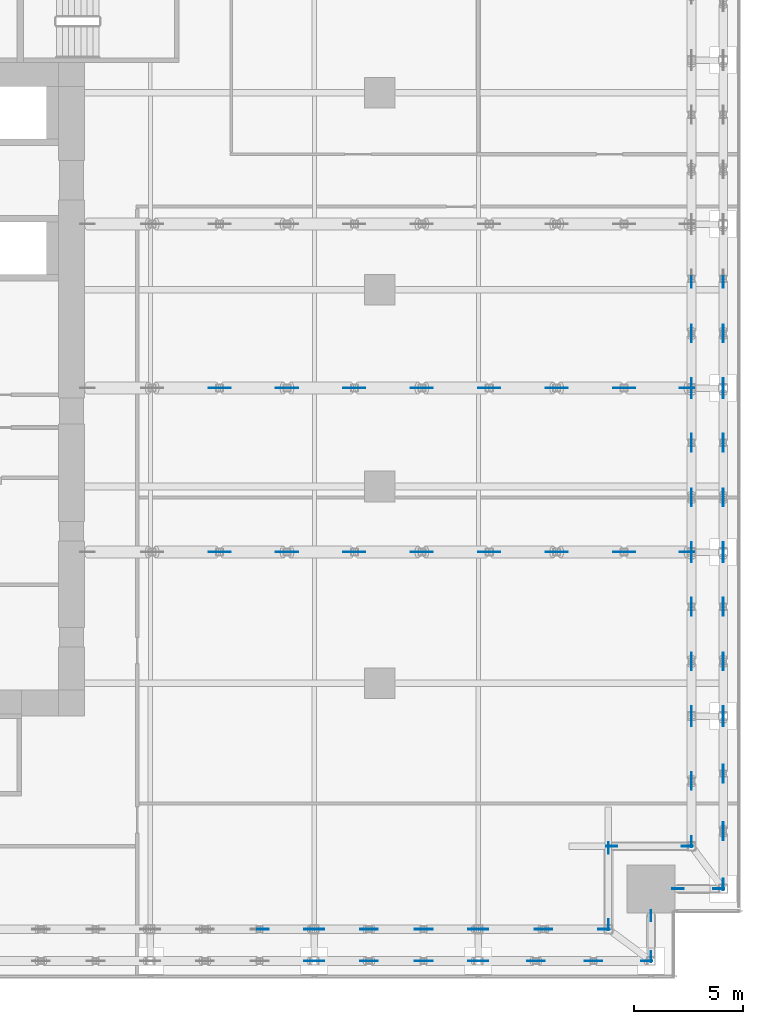
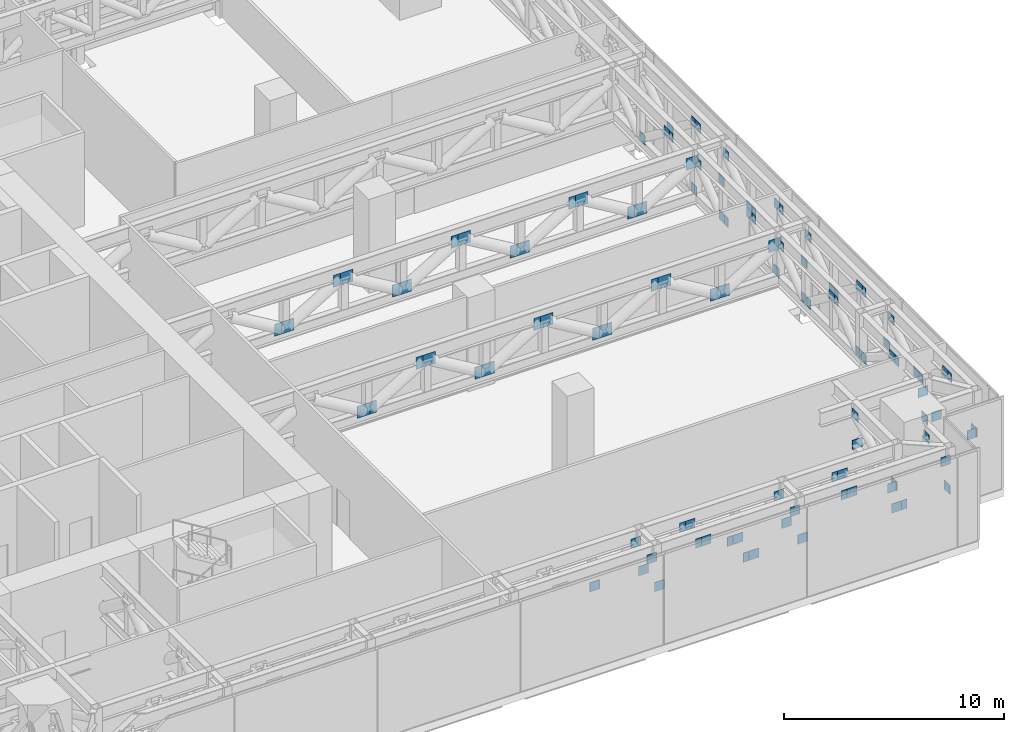
# One storey, part 35 of 39: 105 discrete accessories.
"""IFC4 building model written with IfcOpenShell, lengths in metres."""

import ifcopenshell
import ifcopenshell.guid

model = None  # the IFC model being written
_history = None  # IfcOwnerHistory: only IFC2X3 demands one
_inside = {}  # id of a spatial element -> (the spatial element, [elements in it])
_under = {}  # id of a project, library or spatial element -> (it, [spatial elements below it])
_declared = {}  # id of a project -> (the project, [libraries it declares])
_typed = {}  # id of a type object -> (the type object, [elements of that type])
_made_of = {}  # id of a material, layer set ... -> (it, [elements and type objects made of it])


def new_model(schema):
    """Start an empty IFC model of exactly this schema.

    Asked for "IFC4X3", IfcOpenShell would pick the latest addendum, in which some entities
    have other attributes; the version numbers below select the first issue.
    IFC2X3 requires an IfcOwnerHistory on every rooted entity: one is made here for all.
    """
    global model, _history
    if schema == "IFC4X3":
        model = ifcopenshell.file(schema_version=(4, 3, 0, 0))
    else:
        model = ifcopenshell.file(schema=schema)
    _inside.clear()
    _under.clear()
    _declared.clear()
    _typed.clear()
    _made_of.clear()
    _history = None
    if model.schema == "IFC2X3":
        org = make("IfcOrganization", Name="unknown")
        user = make(
            "IfcPersonAndOrganization",
            ThePerson=make("IfcPerson", FamilyName="unknown"),
            TheOrganization=org,
        )
        app = make(
            "IfcApplication",
            ApplicationDeveloper=org,
            Version="unknown",
            ApplicationFullName="unknown",
            ApplicationIdentifier="unknown",
        )
        _history = make(
            "IfcOwnerHistory",
            OwningUser=user,
            OwningApplication=app,
            ChangeAction="ADDED",
            CreationDate=0,
        )
    return model


def make(cls, **values):
    """One entity of the class cls with the attributes given. An attribute that is None is left unset."""
    return model.create_entity(
        cls, **{name: value for name, value in values.items() if value is not None}
    )


def rooted(cls, **values):
    """An entity with a GlobalId (a new one), such as an element, a storey or a relation."""
    return make(cls, GlobalId=ifcopenshell.guid.new(), OwnerHistory=_history, **values)


def si_unit(unit_type, name, prefix=None):
    """IfcSIUnit, for example si_unit("LENGTHUNIT", "METRE", prefix="MILLI")."""
    return make("IfcSIUnit", UnitType=unit_type, Prefix=prefix, Name=name)


def assignment(units):
    """IfcUnitAssignment: the units of a project."""
    return None if units is None else make("IfcUnitAssignment", Units=units)


def point(xyz):
    """IfcCartesianPoint."""
    return None if xyz is None else make("IfcCartesianPoint", Coordinates=xyz)


def direction(xyz):
    """IfcDirection."""
    return None if xyz is None else make("IfcDirection", DirectionRatios=xyz)


def frame(location, z_axis=None, x_axis=None):
    """IfcAxis2Placement3D, a coordinate frame: its origin and axes. An axis left out is left unset."""
    return make(
        "IfcAxis2Placement3D",
        Location=point(location),
        Axis=direction(z_axis),
        RefDirection=direction(x_axis),
    )


def frame_2d(location, x_axis=None):
    """IfcAxis2Placement2D, a coordinate frame in the plane: its origin and x axis."""
    return make(
        "IfcAxis2Placement2D", Location=point(location), RefDirection=direction(x_axis)
    )


def origin():
    """The frame at (0, 0, 0) with its axes left unset."""
    return frame((0.0, 0.0, 0.0))


def origin_2d():
    """The frame at (0, 0) in the plane with its x axis left unset."""
    return frame_2d((0.0, 0.0))


def place(relative_to, where):
    """IfcLocalPlacement: puts the frame where relative to a parent placement (None: the world)."""
    return make(
        "IfcLocalPlacement", PlacementRelTo=relative_to, RelativePlacement=where
    )


def context(
    kind, dimensions, precision=None, world=None, true_north=None, identifier=None
):
    """IfcGeometricRepresentationContext, for example the 3D "Model" context."""
    return make(
        "IfcGeometricRepresentationContext",
        ContextIdentifier=identifier,
        ContextType=kind,
        CoordinateSpaceDimension=dimensions,
        Precision=precision,
        WorldCoordinateSystem=world,
        TrueNorth=true_north,
    )


def subcontext(parent, identifier, kind, view, scale=None):
    """IfcGeometricRepresentationSubContext, for example "Body" below "Model"."""
    return make(
        "IfcGeometricRepresentationSubContext",
        ContextIdentifier=identifier,
        ContextType=kind,
        ParentContext=parent,
        TargetScale=scale,
        TargetView=view,
    )


def project(units=None, contexts=None):
    """IfcProject with its units and contexts."""
    return rooted(
        "IfcProject",
        Name="project",
        RepresentationContexts=contexts,
        UnitsInContext=assignment(units),
    )


def spatial(cls, under=None, at=None, **own):
    """A site, building, storey or space (cls), placed at a placement, below another one or the project."""
    s = rooted(cls, ObjectPlacement=at, **own)
    if under is not None:
        _under.setdefault(under.id(), (under, []))[1].append(s)
    return s


def profile(cls, at=None, kind="AREA", **sizes):
    """A parametric profile (cls). Its sizes go by their IFC names, for example OverallWidth=200.0."""
    return make(cls, ProfileType=kind, Position=at, **sizes)


def rectangle(**sizes):
    """IfcRectangleProfileDef."""
    return profile("IfcRectangleProfileDef", **sizes)


def extrude(swept, where, along, depth):
    """IfcExtrudedAreaSolid: the profile swept, set in the frame where, extruded along a direction by depth."""
    return make(
        "IfcExtrudedAreaSolid",
        SweptArea=swept,
        Position=where,
        ExtrudedDirection=direction(along),
        Depth=depth,
    )


def shape(context_of_items, identifier, shape_type, items):
    """IfcShapeRepresentation: the items that make up one representation, for example the "Body"."""
    return make(
        "IfcShapeRepresentation",
        ContextOfItems=context_of_items,
        RepresentationIdentifier=identifier,
        RepresentationType=shape_type,
        Items=items,
    )


def source(mapping_origin, context_of_items, identifier, shape_type, items):
    """IfcRepresentationMap: a shape defined once, which mapped items show again and again."""
    return make(
        "IfcRepresentationMap",
        MappingOrigin=mapping_origin,
        MappedRepresentation=shape(context_of_items, identifier, shape_type, items),
    )


def transform(
    local_origin,
    x_axis=None,
    y_axis=None,
    z_axis=None,
    scale=None,
    scale2=None,
    scale3=None,
    uniform=True,
):
    """IfcCartesianTransformationOperator3D, or its non-uniform kind. x_axis, y_axis, z_axis: its Axis1, 2, 3."""
    if uniform:
        return make(
            "IfcCartesianTransformationOperator3D",
            Axis1=direction(x_axis),
            Axis2=direction(y_axis),
            LocalOrigin=point(local_origin),
            Scale=scale,
            Axis3=direction(z_axis),
        )
    return make(
        "IfcCartesianTransformationOperator3DnonUniform",
        Axis1=direction(x_axis),
        Axis2=direction(y_axis),
        LocalOrigin=point(local_origin),
        Scale=scale,
        Axis3=direction(z_axis),
        Scale2=scale2,
        Scale3=scale3,
    )


def mapped(mapping_source, mapping_target):
    """IfcMappedItem: shows the shape of a source again, moved by a transform."""
    return make(
        "IfcMappedItem", MappingSource=mapping_source, MappingTarget=mapping_target
    )


def material(Name=None, Category=None):
    """IfcMaterial."""
    return make("IfcMaterial", Name=Name, Category=Category)


def layer(
    of_material, thickness, ventilated=None, Name=None, Category=None, Priority=None
):
    """IfcMaterialLayer: one layer of a wall or slab, of a material (None: an air gap)."""
    return make(
        "IfcMaterialLayer",
        Material=of_material,
        LayerThickness=thickness,
        IsVentilated=ventilated,
        Name=Name,
        Category=Category,
        Priority=Priority,
    )


def layer_set(layers, Name=None):
    """IfcMaterialLayerSet."""
    return make("IfcMaterialLayerSet", MaterialLayers=layers, LayerSetName=Name)


def made_of(thing, what):
    """Note that an element or type object is made of a material, layer set ...; save() writes the relation."""
    if what is not None:
        _made_of.setdefault(what.id(), (what, []))[1].append(thing)
    return thing


def type_object(cls, material=None, **own):
    """A type object (cls), such as IfcWallType, which elements share."""
    return made_of(rooted(cls, **own), material)


def element(
    cls,
    number,
    at=None,
    inside=None,
    cuts=None,
    type_object=None,
    material=None,
    context=None,
    identifier="Body",
    shape_type=None,
    held_by="IfcProductDefinitionShape",
    body=None,
    shapes=None,
    **own,
):
    """One element of the class cls, such as IfcWall. Its Tag is "e" and its number.

    at: its placement. inside: the storey or other place that contains it. cuts: it is an
    opening in that element (IfcRelVoidsElement). A single representation is given by context,
    identifier, shape_type and body (its items); several are given by shapes. held_by: the class
    of the entity that holds the representations. save() writes the other relations.
    """
    e = rooted(cls, Tag="e%d" % number, ObjectPlacement=at, **own)
    if body is not None:
        shapes = [shape(context, identifier, shape_type, body)]
    if shapes is not None:
        e.Representation = make(held_by, Representations=shapes)
    if inside is not None:
        _inside.setdefault(inside.id(), (inside, []))[1].append(e)
    if cuts is not None:
        rooted(
            "IfcRelVoidsElement", RelatingBuildingElement=cuts, RelatedOpeningElement=e
        )
    if type_object is not None:
        _typed.setdefault(type_object.id(), (type_object, []))[1].append(e)
    return made_of(e, material)


def aggregate(whole, parts):
    """IfcRelAggregates: a whole, such as a stair, and the parts it consists of."""
    return rooted("IfcRelAggregates", RelatingObject=whole, RelatedObjects=parts)


def save(model, path):
    """Write the relations noted so far, then the file.

    IfcRelAggregates (storeys below a building ...), IfcRelContainedInSpatialStructure (elements
    in a storey), IfcRelDefinesByType, IfcRelAssociatesMaterial and IfcRelDeclares: one each for
    every whole, place, type object, material and project.
    """
    for whole, parts in _under.values():
        aggregate(whole, parts)
    for where, things in _inside.values():
        rooted(
            "IfcRelContainedInSpatialStructure",
            RelatedElements=things,
            RelatingStructure=where,
        )
    for kind, things in _typed.values():
        rooted("IfcRelDefinesByType", RelatedObjects=things, RelatingType=kind)
    for what, things in _made_of.values():
        rooted("IfcRelAssociatesMaterial", RelatedObjects=things, RelatingMaterial=what)
    for by, libraries in _declared.values():
        rooted("IfcRelDeclares", RelatingContext=by, RelatedDefinitions=libraries)
    model.write(path)


model = new_model("IFC4")

# Units and contexts
model_context = context("Model", 3, precision=1e-05, world=origin(), true_north=direction((0.0, 1.0)))
body_context = subcontext(model_context, "Body", "Model", "MODEL_VIEW")
ifc_project = project(units=[si_unit("LENGTHUNIT", "METRE"), si_unit("AREAUNIT", "SQUARE_METRE"), si_unit("VOLUMEUNIT", "CUBIC_METRE"), si_unit("PLANEANGLEUNIT", "RADIAN"), si_unit("MASSUNIT", "GRAM", prefix="KILO")], contexts=[model_context])

# Site, building, storey
site_placement = place(None, origin())
site = spatial("IfcSite", under=ifc_project, at=site_placement, CompositionType="ELEMENT")
building_placement = place(site_placement, origin())
building = spatial("IfcBuilding", under=site, at=building_placement, Name="Khomas Fold Tower", CompositionType="ELEMENT")
storey_placement = place(building_placement, frame((0.0, 0.0, 96.0)))
storey = spatial("IfcBuildingStorey", under=building, at=storey_placement, Name="L20", CompositionType="ELEMENT", Elevation=96.0)

# Discrete accessories
ifc_material_1 = material(Name="Steel S355", Category="steel")
ifc_layer_1 = layer(ifc_material_1, 0.030029296875)
ifc_layer_set_1 = layer_set([ifc_layer_1], Name="Steel S355")
discrete_accessory_type_1 = type_object("IfcDiscreteAccessoryType", Name="Gusset plate 30 x 510 GP3", PredefinedType="BRACKET", material=ifc_layer_set_1)
shared_shape_1 = source(origin(), body_context, "Body", "SweptSolid", [
    extrude(rectangle(XDim=0.510009765625, YDim=0.030029296875, at=origin_2d()), origin(), (0.0, 0.0, 1.0), 0.510009765625),
])
for number, where, z_axis, x_axis, name in (
    (1, (32.14990234375, 2.25, 2.490234375), (0.0, 0.0, 1.0), (1.0, 0.0, 0.0), "Gusset plate BT1-D"),
    (2, (34.300048828125, 0.800048828125, 4.14990234375), (0.0, 0.0, 1.0), (1.0, 0.0, 0.0), "Gusset plate BT1-D"),
    (3, (34.300048828125, 2.25, 4.14990234375), (0.0, 0.0, 1.0), (1.0, 0.0, 0.0), "Gusset plate BT1-D"),
    (4, (34.699951171875, 0.800048828125, 2.490234375), (0.0, 0.0, 1.0), (1.0, 0.0, 0.0), "Gusset plate BT1-D"),
    (5, (34.699951171875, 2.25, 2.490234375), (0.0, 0.0, 1.0), (1.0, 0.0, 0.0), "Gusset plate BT1-D"),
    (6, (36.85009765625, 0.800048828125, 4.14990234375), (0.0, 0.0, 1.0), (1.0, 0.0, 0.0), "Gusset plate BT1-D"),
    (7, (36.85009765625, 2.25, 4.14990234375), (0.0, 0.0, 1.0), (1.0, 0.0, 0.0), "Gusset plate BT1-D"),
    (8, (37.14990234375, 0.800048828125, 4.14990234375), (0.0, 0.0, 1.0), (1.0, 0.0, 0.0), "Gusset plate BT1-D"),
    (9, (37.14990234375, 2.25, 4.14990234375), (0.0, 0.0, 1.0), (1.0, 0.0, 0.0), "Gusset plate BT1-D"),
    (10, (39.35009765625, 0.800048828125, 2.490234375), (0.0, 0.0, 1.0), (1.0, 0.0, 0.0), "Gusset plate BT1-D"),
    (11, (39.35009765625, 2.25, 2.490234375), (0.0, 0.0, 1.0), (1.0, 0.0, 0.0), "Gusset plate BT1-D"),
    (12, (39.64990234375, 0.800048828125, 2.490234375), (0.0, 0.0, 1.0), (1.0, 0.0, 0.0), "Gusset plate BT1-D"),
    (13, (39.64990234375, 2.25, 2.490234375), (0.0, 0.0, 1.0), (1.0, 0.0, 0.0), "Gusset plate BT1-D"),
    (14, (41.800048828125, 0.800048828125, 4.14990234375), (0.0, 0.0, 1.0), (1.0, 0.0, 0.0), "Gusset plate BT1-D"),
    (15, (41.800048828125, 2.25, 4.14990234375), (0.0, 0.0, 1.0), (1.0, 0.0, 0.0), "Gusset plate BT1-D"),
    (16, (42.199951171875, 0.800048828125, 2.490234375), (0.0, 0.0, 1.0), (1.0, 0.0, 0.0), "Gusset plate BT1-D"),
    (17, (42.199951171875, 2.25, 2.490234375), (0.0, 0.0, 1.0), (1.0, 0.0, 0.0), "Gusset plate BT1-D"),
    (18, (44.4833984375, 0.800048828125, 4.14990234375), (0.0, 0.0, 1.0), (1.0, 0.0, 0.0), "Gusset plate BT1-D"),
    (19, (44.783447265625, 0.800048828125, 4.14990234375), (0.0, 0.0, 1.0), (1.0, 0.0, 0.0), "Gusset plate BT1-D"),
    (20, (44.824951171875, 2.25, 4.14990234375), (0.0, 0.0, 1.0), (1.0, 0.0, 0.0), "Gusset plate BT1-D"),
    (21, (45.125, 2.25, 4.14990234375), (0.0, 0.0, 1.0), (1.0, 0.0, 0.0), "Gusset plate BT1-D"),
    (22, (47.11669921875, 0.800048828125, 2.490234375), (0.0, 0.0, 1.0), (1.0, 0.0, 0.0), "Gusset plate BT1-D"),
    (23, (47.416748046875, 0.800048828125, 2.490234375), (0.0, 0.0, 1.0), (1.0, 0.0, 0.0), "Gusset plate BT1-D"),
    (24, (47.75, 2.25, 2.490234375), (0.0, 0.0, 1.0), (1.0, 0.0, 0.0), "Gusset plate BT1-D"),
    (25, (47.949951171875, 2.449951171875, 2.490234375), (0.0, 0.0, 1.0), (0.0, 1.0, 0.0), "Gusset plate BT1-DL"),
    (26, (47.949951171875, 5.96533203125, 4.14990234375), (0.0, 0.0, 1.0), (0.0, 1.0, 0.0), "Gusset plate BT1-DL"),
    (27, (48.10009765625, 6.050048828125, 2.490234375), (0.0, 0.0, 1.0), (1.0, 0.0, 0.0), "Gusset plate BT1-DL"),
    (28, (49.699951171875, 0.800048828125, 4.14990234375), (0.0, 0.0, 1.0), (1.0, 0.0, 0.0), "Gusset plate BT1-D"),
    (29, (49.89990234375, 1.0, 2.490234375), (0.0, 0.0, 1.0), (0.0, 1.0, 0.0), "Gusset plate BT1-D"),
    (30, (49.89990234375, 2.87060546875, 4.14990234375), (0.0, 0.0, 1.0), (0.0, 1.0, 0.0), "Gusset plate BT1-D"),
    (31, (51.12939453125, 4.10009765625, 4.14990234375), (0.0, 0.0, 1.0), (1.0, 0.0, 0.0), "Gusset plate BT1-D"),
    (32, (51.550048828125, 6.050048828125, 4.14990234375), (0.0, 0.0, 1.0), (1.0, 0.0, 0.0), "Gusset plate BT1-DL"),
    (33, (51.75, 6.25, 2.490234375), (0.0, 0.0, 1.0), (0.0, 1.0, 0.0), "Gusset plate BT1-D"),
    (34, (51.75, 8.875, 4.14990234375), (0.0, 0.0, 1.0), (0.0, 1.0, 0.0), "Gusset plate BT1-D"),
    (35, (51.75, 9.175048828125, 4.14990234375), (0.0, 0.0, 1.0), (0.0, 1.0, 0.0), "Gusset plate BT1-D"),
    (36, (51.75, 11.800048828125, 2.490234375), (0.0, 0.0, 1.0), (0.0, 1.0, 0.0), "Gusset plate BT1-D"),
    (37, (51.75, 12.199951171875, 2.490234375), (0.0, 0.0, 1.0), (0.0, 1.0, 0.0), "Gusset plate BT1-D"),
    (38, (51.75, 14.35009765625, 4.14990234375), (0.0, 0.0, 1.0), (0.0, 1.0, 0.0), "Gusset plate BT1-D"),
    (39, (51.75, 14.64990234375, 4.14990234375), (0.0, 0.0, 1.0), (0.0, 1.0, 0.0), "Gusset plate BT1-D"),
    (40, (51.75, 16.85009765625, 2.490234375), (0.0, 0.0, 1.0), (0.0, 1.0, 0.0), "Gusset plate BT1-D"),
    (41, (51.75, 17.14990234375, 2.490234375), (0.0, 0.0, 1.0), (0.0, 1.0, 0.0), "Gusset plate BT1-D"),
    (42, (51.75, 19.300048828125, 4.14990234375), (0.0, 0.0, 1.0), (0.0, 1.0, 0.0), "Gusset plate BT1-D"),
    (43, (51.75, 19.699951171875, 2.490234375), (0.0, 0.0, 1.0), (0.0, 1.0, 0.0), "Gusset plate BT1-D"),
    (44, (51.75, 21.85009765625, 4.14990234375), (0.0, 0.0, 1.0), (0.0, 1.0, 0.0), "Gusset plate BT1-D"),
    (45, (51.75, 22.14990234375, 4.14990234375), (0.0, 0.0, 1.0), (0.0, 1.0, 0.0), "Gusset plate BT1-D"),
    (46, (51.75, 24.35009765625, 2.490234375), (0.0, 0.0, 1.0), (0.0, 1.0, 0.0), "Gusset plate BT1-D"),
    (47, (51.75, 24.64990234375, 2.490234375), (0.0, 0.0, 1.0), (0.0, 1.0, 0.0), "Gusset plate BT1-D"),
    (48, (51.75, 26.800048828125, 4.14990234375), (0.0, 0.0, 1.0), (0.0, 1.0, 0.0), "Gusset plate BT1-D"),
    (49, (51.75, 27.199951171875, 2.490234375), (0.0, 0.0, 1.0), (0.0, 1.0, 0.0), "Gusset plate BT1-D"),
    (50, (51.75, 29.35009765625, 4.14990234375), (0.0, 0.0, 1.0), (0.0, 1.0, 0.0), "Gusset plate BT1-D"),
    (51, (51.75, 29.64990234375, 4.14990234375), (0.0, 0.0, 1.0), (0.0, 1.0, 0.0), "Gusset plate BT1-D"),
    (52, (51.75, 31.85009765625, 2.490234375), (0.0, 0.0, 1.0), (0.0, 1.0, 0.0), "Gusset plate BT1-D"),
    (53, (53.0, 4.10009765625, 2.490234375), (0.0, 0.0, 1.0), (1.0, 0.0, 0.0), "Gusset plate BT1-D"),
    (54, (53.199951171875, 4.300048828125, 2.490234375), (0.0, 0.0, 1.0), (0.0, 1.0, 0.0), "Gusset plate BT1-D"),
    (55, (53.199951171875, 6.583251953125, 4.14990234375), (0.0, 0.0, 1.0), (0.0, 1.0, 0.0), "Gusset plate BT1-D"),
    (56, (53.199951171875, 6.88330078125, 4.14990234375), (0.0, 0.0, 1.0), (0.0, 1.0, 0.0), "Gusset plate BT1-D"),
    (57, (53.199951171875, 9.216552734375, 2.490234375), (0.0, 0.0, 1.0), (0.0, 1.0, 0.0), "Gusset plate BT1-D"),
    (58, (53.199951171875, 9.5166015625, 2.490234375), (0.0, 0.0, 1.0), (0.0, 1.0, 0.0), "Gusset plate BT1-D"),
    (59, (53.199951171875, 11.800048828125, 4.14990234375), (0.0, 0.0, 1.0), (0.0, 1.0, 0.0), "Gusset plate BT1-D"),
    (60, (53.199951171875, 12.199951171875, 2.490234375), (0.0, 0.0, 1.0), (0.0, 1.0, 0.0), "Gusset plate BT1-D"),
    (61, (53.199951171875, 14.35009765625, 4.14990234375), (0.0, 0.0, 1.0), (0.0, 1.0, 0.0), "Gusset plate BT1-D"),
    (62, (53.199951171875, 14.64990234375, 4.14990234375), (0.0, 0.0, 1.0), (0.0, 1.0, 0.0), "Gusset plate BT1-D"),
    (63, (53.199951171875, 16.85009765625, 2.490234375), (0.0, 0.0, 1.0), (0.0, 1.0, 0.0), "Gusset plate BT1-D"),
    (64, (53.199951171875, 17.14990234375, 2.490234375), (0.0, 0.0, 1.0), (0.0, 1.0, 0.0), "Gusset plate BT1-D"),
    (65, (53.199951171875, 19.300048828125, 4.14990234375), (0.0, 0.0, 1.0), (0.0, 1.0, 0.0), "Gusset plate BT1-D"),
    (66, (53.199951171875, 19.699951171875, 2.490234375), (0.0, 0.0, 1.0), (0.0, 1.0, 0.0), "Gusset plate BT1-D"),
    (67, (53.199951171875, 21.85009765625, 4.14990234375), (0.0, 0.0, 1.0), (0.0, 1.0, 0.0), "Gusset plate BT1-D"),
    (68, (53.199951171875, 22.14990234375, 4.14990234375), (0.0, 0.0, 1.0), (0.0, 1.0, 0.0), "Gusset plate BT1-D"),
    (69, (53.199951171875, 24.35009765625, 2.490234375), (0.0, 0.0, 1.0), (0.0, 1.0, 0.0), "Gusset plate BT1-D"),
    (70, (53.199951171875, 24.64990234375, 2.490234375), (0.0, 0.0, 1.0), (0.0, 1.0, 0.0), "Gusset plate BT1-D"),
    (71, (53.199951171875, 26.800048828125, 4.14990234375), (0.0, 0.0, 1.0), (0.0, 1.0, 0.0), "Gusset plate BT1-D"),
    (72, (53.199951171875, 27.199951171875, 2.490234375), (0.0, 0.0, 1.0), (0.0, 1.0, 0.0), "Gusset plate BT1-D"),
    (73, (53.199951171875, 29.35009765625, 4.14990234375), (0.0, 0.0, 1.0), (0.0, 1.0, 0.0), "Gusset plate BT1-D"),
    (74, (53.199951171875, 29.64990234375, 4.14990234375), (0.0, 0.0, 1.0), (0.0, 1.0, 0.0), "Gusset plate BT1-D"),
    (75, (53.199951171875, 31.85009765625, 2.490234375), (0.0, 0.0, 1.0), (0.0, 1.0, 0.0), "Gusset plate BT1-D"),
):
    element("IfcDiscreteAccessory", number, at=place(storey_placement, frame(where, z_axis=z_axis, x_axis=x_axis)), inside=storey, type_object=discrete_accessory_type_1, Name=name, PredefinedType="BRACKET", context=body_context, shape_type="MappedRepresentation", body=[
        mapped(shared_shape_1, transform((0.0, 0.0, 0.0))),
    ])
ifc_material_2 = material(Name="Steel S355", Category="steel")
ifc_layer_2 = layer(ifc_material_2, 0.030029296875)
ifc_layer_set_2 = layer_set([ifc_layer_2], Name="Steel S355")
discrete_accessory_type_2 = type_object("IfcDiscreteAccessoryType", Name="Gusset plate 30 x 660 GP4", PredefinedType="BRACKET", material=ifc_layer_set_2)
shared_shape_2 = source(origin(), body_context, "Body", "SweptSolid", [
    extrude(rectangle(XDim=0.659912109375, YDim=0.030029296875, at=origin_2d()), origin(), (0.0, 0.0, 1.0), 0.659912109375),
])
for number, where, z_axis, x_axis, name in (
    (76, (29.99169921875, 19.5, 2.43505859375), (0.0, 0.0, 1.0), (1.0, 0.0, 0.0), "Gusset plate OR1-D"),
    (77, (29.99169921875, 27.0, 2.43505859375), (0.0, 0.0, 1.0), (1.0, 0.0, 0.0), "Gusset plate OR1-D"),
    (78, (30.341552734375, 19.5, 2.43505859375), (0.0, 0.0, 1.0), (1.0, 0.0, 0.0), "Gusset plate OR1-D"),
    (79, (30.341552734375, 27.0, 2.43505859375), (0.0, 0.0, 1.0), (1.0, 0.0, 0.0), "Gusset plate OR1-D"),
    (80, (33.074951171875, 19.5, 4.06103515625), (0.0, 0.0, 1.0), (1.0, 0.0, 0.0), "Gusset plate OR1-D"),
    (81, (33.074951171875, 27.0, 4.06103515625), (0.0, 0.0, 1.0), (1.0, 0.0, 0.0), "Gusset plate OR1-D"),
    (82, (33.425048828125, 19.5, 4.06103515625), (0.0, 0.0, 1.0), (1.0, 0.0, 0.0), "Gusset plate OR1-D"),
    (83, (33.425048828125, 27.0, 4.06103515625), (0.0, 0.0, 1.0), (1.0, 0.0, 0.0), "Gusset plate OR1-D"),
    (84, (36.158447265625, 19.5, 2.43505859375), (0.0, 0.0, 1.0), (1.0, 0.0, 0.0), "Gusset plate OR1-D"),
    (85, (36.158447265625, 27.0, 2.43505859375), (0.0, 0.0, 1.0), (1.0, 0.0, 0.0), "Gusset plate OR1-D"),
    (86, (36.50830078125, 19.5, 2.43505859375), (0.0, 0.0, 1.0), (1.0, 0.0, 0.0), "Gusset plate OR1-D"),
    (87, (36.50830078125, 27.0, 2.43505859375), (0.0, 0.0, 1.0), (1.0, 0.0, 0.0), "Gusset plate OR1-D"),
    (88, (39.24169921875, 19.5, 4.06103515625), (0.0, 0.0, 1.0), (1.0, 0.0, 0.0), "Gusset plate OR1-D"),
    (89, (39.24169921875, 27.0, 4.06103515625), (0.0, 0.0, 1.0), (1.0, 0.0, 0.0), "Gusset plate OR1-D"),
    (90, (39.591552734375, 19.5, 4.06103515625), (0.0, 0.0, 1.0), (1.0, 0.0, 0.0), "Gusset plate OR1-D"),
    (91, (39.591552734375, 27.0, 4.06103515625), (0.0, 0.0, 1.0), (1.0, 0.0, 0.0), "Gusset plate OR1-D"),
    (92, (42.324951171875, 19.5, 2.43505859375), (0.0, 0.0, 1.0), (1.0, 0.0, 0.0), "Gusset plate OR1-D"),
    (93, (42.324951171875, 27.0, 2.43505859375), (0.0, 0.0, 1.0), (1.0, 0.0, 0.0), "Gusset plate OR1-D"),
    (94, (42.675048828125, 19.5, 2.43505859375), (0.0, 0.0, 1.0), (1.0, 0.0, 0.0), "Gusset plate OR1-D"),
    (95, (42.675048828125, 27.0, 2.43505859375), (0.0, 0.0, 1.0), (1.0, 0.0, 0.0), "Gusset plate OR1-D"),
    (96, (45.408447265625, 19.5, 4.06103515625), (0.0, 0.0, 1.0), (1.0, 0.0, 0.0), "Gusset plate OR1-D"),
    (97, (45.408447265625, 27.0, 4.06103515625), (0.0, 0.0, 1.0), (1.0, 0.0, 0.0), "Gusset plate OR1-D"),
    (98, (45.75830078125, 19.5, 4.06103515625), (0.0, 0.0, 1.0), (1.0, 0.0, 0.0), "Gusset plate OR1-D"),
    (99, (45.75830078125, 27.0, 4.06103515625), (0.0, 0.0, 1.0), (1.0, 0.0, 0.0), "Gusset plate OR1-D"),
    (100, (48.49169921875, 19.5, 2.43505859375), (0.0, 0.0, 1.0), (1.0, 0.0, 0.0), "Gusset plate OR1-D"),
    (101, (48.49169921875, 27.0, 2.43505859375), (0.0, 0.0, 1.0), (1.0, 0.0, 0.0), "Gusset plate OR1-D"),
    (102, (48.841552734375, 19.5, 2.43505859375), (0.0, 0.0, 1.0), (1.0, 0.0, 0.0), "Gusset plate OR1-D"),
    (103, (48.841552734375, 27.0, 2.43505859375), (0.0, 0.0, 1.0), (1.0, 0.0, 0.0), "Gusset plate OR1-D"),
    (104, (51.550048828125, 19.5, 4.06103515625), (0.0, 0.0, 1.0), (1.0, 0.0, 0.0), "Gusset plate OR1-D"),
    (105, (51.550048828125, 27.0, 4.06103515625), (0.0, 0.0, 1.0), (1.0, 0.0, 0.0), "Gusset plate OR1-D"),
):
    element("IfcDiscreteAccessory", number, at=place(storey_placement, frame(where, z_axis=z_axis, x_axis=x_axis)), inside=storey, type_object=discrete_accessory_type_2, Name=name, PredefinedType="BRACKET", context=body_context, shape_type="MappedRepresentation", body=[
        mapped(shared_shape_2, transform((0.0, 0.0, 0.0))),
    ])

save(model, "model.ifc")
